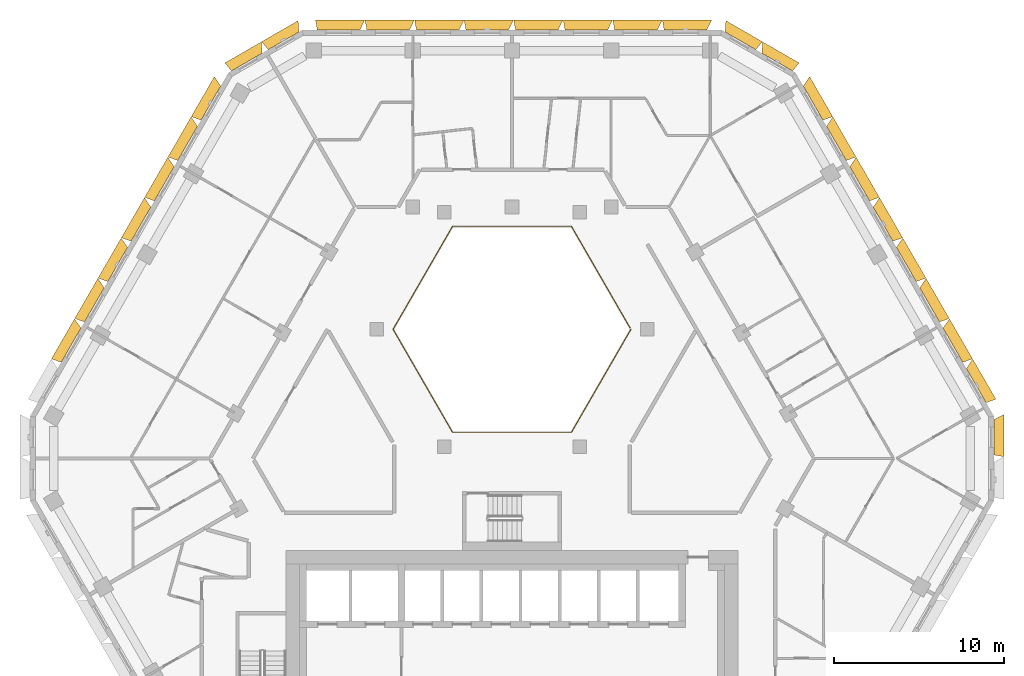
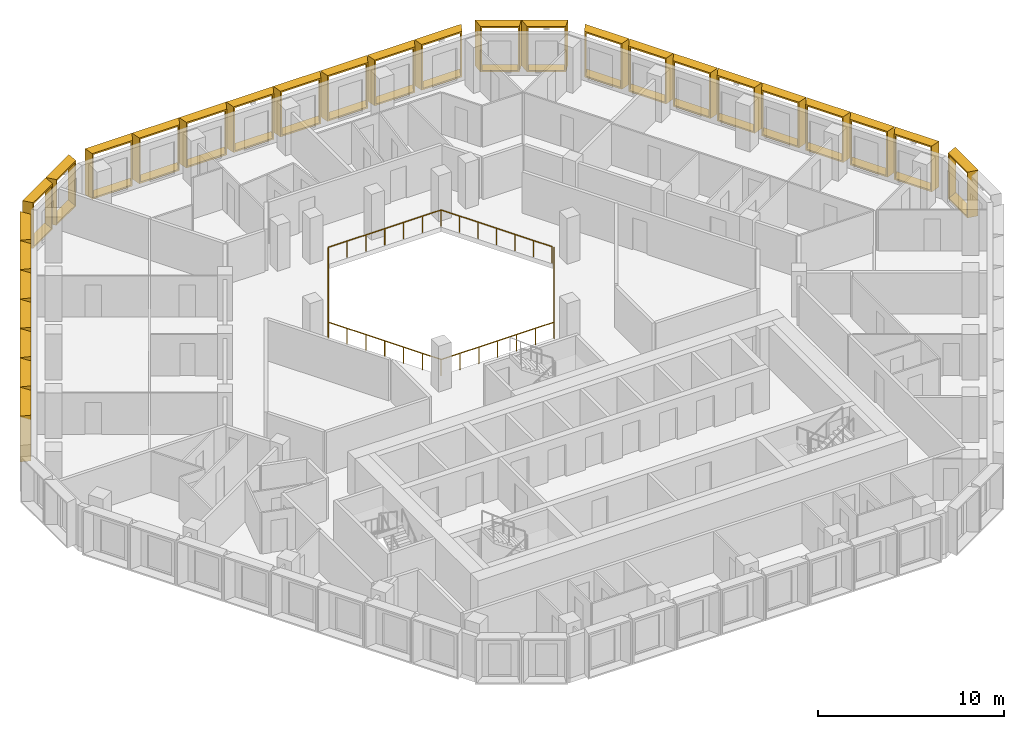
# One storey, part 17 of 17: 28 shading devices, 1 railing.
"""IFC4 building model written with IfcOpenShell, lengths in metres."""

from ifc_helpers import new_model, entity, si_unit, direction, frame, origin, origin_2d, place, context, subcontext, project, spatial, rectangle, extrude, source, transform, mapped, material, type_object, type_shapes, element, save


model = new_model("IFC4")

# Units and contexts
model_context = context("Model", 3, precision=1e-05, world=origin(), true_north=direction((0.0, 1.0)))
body_context = subcontext(model_context, "Body", "Model", "MODEL_VIEW")
ifc_project = project(units=[si_unit("LENGTHUNIT", "METRE"), si_unit("AREAUNIT", "SQUARE_METRE"), si_unit("VOLUMEUNIT", "CUBIC_METRE"), si_unit("PLANEANGLEUNIT", "RADIAN"), si_unit("MASSUNIT", "GRAM", prefix="KILO")], contexts=[model_context])

# Site, building, storey
site_placement = place(None, origin())
site = spatial("IfcSite", under=ifc_project, at=site_placement, CompositionType="ELEMENT")
building_placement = place(site_placement, origin())
building = spatial("IfcBuilding", under=site, at=building_placement, Name="Beryl Residences", CompositionType="ELEMENT")
storey_placement = place(building_placement, frame((0.0, 0.0, 144.60009765625)))
storey = spatial("IfcBuildingStorey", under=building, at=storey_placement, Name="L44", CompositionType="ELEMENT", Elevation=144.60009765625)

# Railing
ifc_material_1 = material(Name="Stainless steel balustrade with glass infill", Category="steel")
railing_type = type_object("IfcRailingType", Name="EG1 edge guard 1100 mm", PredefinedType="GUARDRAIL", material=ifc_material_1)
railing_placement = place(storey_placement, frame((6.9970703125, 8.0, 0.0)))
element("IfcRailing", 1, at=railing_placement, inside=storey, type_object=railing_type, Name="L44 atrium guard", PredefinedType="GUARDRAIL", context=body_context, shape_type="SweptSolid", body=[
    extrude(rectangle(XDim=0.048095703125, YDim=0.048095703125, at=origin_2d()), frame((0.0, 0.0, 1.076171875), z_axis=(-0.499921796684, -0.866070549782, 0.0), x_axis=(0.866070549782, -0.499921796684, 0.0)), (0.0, 0.0, 1.0), 6.9970703125),
    extrude(rectangle(XDim=0.048095703125, YDim=0.048095703125, at=origin_2d()), frame((-3.498046875, -6.06005859375, 1.076171875), z_axis=(-1.0, 0.0, 0.0), x_axis=(0.0, -1.0, 0.0)), (0.0, 0.0, 1.0), 6.998046875),
    extrude(rectangle(XDim=0.048095703125, YDim=0.048095703125, at=origin_2d()), frame((-10.49609375, -6.06005859375, 1.076171875), z_axis=(-0.499921796684, 0.866070549782, 0.0), x_axis=(-0.866070549782, -0.499921796684, 0.0)), (0.0, 0.0, 1.0), 6.9970703125),
    extrude(rectangle(XDim=0.048095703125, YDim=0.048095703125, at=origin_2d()), frame((-13.994140625, 0.0, 1.076171875), z_axis=(0.499921796684, 0.866070549782, 0.0), x_axis=(-0.866070549782, 0.499921796684, 0.0)), (0.0, 0.0, 1.0), 6.9970703125),
    extrude(rectangle(XDim=0.048095703125, YDim=0.048095703125, at=origin_2d()), frame((-10.49609375, 6.06005859375, 1.076171875), z_axis=(1.0, 0.0, 0.0), x_axis=(0.0, 1.0, 0.0)), (0.0, 0.0, 1.0), 6.998046875),
    extrude(rectangle(XDim=0.048095703125, YDim=0.048095703125, at=origin_2d()), frame((-3.498046875, 6.06005859375, 1.076171875), z_axis=(0.499919131929, -0.866072087953, 0.0), x_axis=(0.866072087953, 0.499919131929, 0.0)), (0.0, 0.0, 1.0), 6.877197265625),
    extrude(rectangle(XDim=0.0419921875, YDim=0.0419921875, at=origin_2d()), origin(), (0.0, 0.0, 1.0), 1.052001953125),
    extrude(rectangle(XDim=0.0419921875, YDim=0.0419921875, at=origin_2d()), frame((-0.5830078125, -1.010009765625, 0.0)), (0.0, 0.0, 1.0), 1.052001953125),
    extrude(rectangle(XDim=0.0419921875, YDim=0.0419921875, at=origin_2d()), frame((-1.166015625, -2.02001953125, 0.0)), (0.0, 0.0, 1.0), 1.052001953125),
    extrude(rectangle(XDim=0.0419921875, YDim=0.0419921875, at=origin_2d()), frame((-1.7490234375, -3.030029296875, 0.0)), (0.0, 0.0, 1.0), 1.052001953125),
    extrude(rectangle(XDim=0.0419921875, YDim=0.0419921875, at=origin_2d()), frame((-2.33203125, -4.0400390625, 0.0)), (0.0, 0.0, 1.0), 1.052001953125),
    extrude(rectangle(XDim=0.0419921875, YDim=0.0419921875, at=origin_2d()), frame((-2.9150390625, -5.050048828125, 0.0)), (0.0, 0.0, 1.0), 1.052001953125),
    extrude(rectangle(XDim=0.0419921875, YDim=0.0419921875, at=origin_2d()), frame((-3.498046875, -6.06005859375, 0.0)), (0.0, 0.0, 1.0), 1.052001953125),
    extrude(rectangle(XDim=0.0419921875, YDim=0.0419921875, at=origin_2d()), frame((-4.664306640625, -6.06005859375, 0.0)), (0.0, 0.0, 1.0), 1.052001953125),
    extrude(rectangle(XDim=0.0419921875, YDim=0.0419921875, at=origin_2d()), frame((-5.830810546875, -6.06005859375, 0.0)), (0.0, 0.0, 1.0), 1.052001953125),
    extrude(rectangle(XDim=0.0419921875, YDim=0.0419921875, at=origin_2d()), frame((-6.9970703125, -6.06005859375, 0.0)), (0.0, 0.0, 1.0), 1.052001953125),
    extrude(rectangle(XDim=0.0419921875, YDim=0.0419921875, at=origin_2d()), frame((-8.163330078125, -6.06005859375, 0.0)), (0.0, 0.0, 1.0), 1.052001953125),
    extrude(rectangle(XDim=0.0419921875, YDim=0.0419921875, at=origin_2d()), frame((-9.329833984375, -6.06005859375, 0.0)), (0.0, 0.0, 1.0), 1.052001953125),
    extrude(rectangle(XDim=0.0419921875, YDim=0.0419921875, at=origin_2d()), frame((-10.49609375, -6.06005859375, 0.0)), (0.0, 0.0, 1.0), 1.052001953125),
    extrude(rectangle(XDim=0.0419921875, YDim=0.0419921875, at=origin_2d()), frame((-11.0791015625, -5.050048828125, 0.0)), (0.0, 0.0, 1.0), 1.052001953125),
    extrude(rectangle(XDim=0.0419921875, YDim=0.0419921875, at=origin_2d()), frame((-11.662109375, -4.0400390625, 0.0)), (0.0, 0.0, 1.0), 1.052001953125),
    extrude(rectangle(XDim=0.0419921875, YDim=0.0419921875, at=origin_2d()), frame((-12.2451171875, -3.030029296875, 0.0)), (0.0, 0.0, 1.0), 1.052001953125),
    extrude(rectangle(XDim=0.0419921875, YDim=0.0419921875, at=origin_2d()), frame((-12.828125, -2.02001953125, 0.0)), (0.0, 0.0, 1.0), 1.052001953125),
    extrude(rectangle(XDim=0.0419921875, YDim=0.0419921875, at=origin_2d()), frame((-13.4111328125, -1.010009765625, 0.0)), (0.0, 0.0, 1.0), 1.052001953125),
    extrude(rectangle(XDim=0.0419921875, YDim=0.0419921875, at=origin_2d()), frame((-13.994140625, 0.0, 0.0)), (0.0, 0.0, 1.0), 1.052001953125),
    extrude(rectangle(XDim=0.0419921875, YDim=0.0419921875, at=origin_2d()), frame((-13.4111328125, 1.010009765625, 0.0)), (0.0, 0.0, 1.0), 1.052001953125),
    extrude(rectangle(XDim=0.0419921875, YDim=0.0419921875, at=origin_2d()), frame((-12.828125, 2.02001953125, 0.0)), (0.0, 0.0, 1.0), 1.052001953125),
    extrude(rectangle(XDim=0.0419921875, YDim=0.0419921875, at=origin_2d()), frame((-12.2451171875, 3.030029296875, 0.0)), (0.0, 0.0, 1.0), 1.052001953125),
    extrude(rectangle(XDim=0.0419921875, YDim=0.0419921875, at=origin_2d()), frame((-11.662109375, 4.0400390625, 0.0)), (0.0, 0.0, 1.0), 1.052001953125),
    extrude(rectangle(XDim=0.0419921875, YDim=0.0419921875, at=origin_2d()), frame((-11.0791015625, 5.050048828125, 0.0)), (0.0, 0.0, 1.0), 1.052001953125),
    extrude(rectangle(XDim=0.0419921875, YDim=0.0419921875, at=origin_2d()), frame((-10.49609375, 6.06005859375, 0.0)), (0.0, 0.0, 1.0), 1.052001953125),
    extrude(rectangle(XDim=0.0419921875, YDim=0.0419921875, at=origin_2d()), frame((-9.329833984375, 6.06005859375, 0.0)), (0.0, 0.0, 1.0), 1.052001953125),
    extrude(rectangle(XDim=0.0419921875, YDim=0.0419921875, at=origin_2d()), frame((-8.163330078125, 6.06005859375, 0.0)), (0.0, 0.0, 1.0), 1.052001953125),
    extrude(rectangle(XDim=0.0419921875, YDim=0.0419921875, at=origin_2d()), frame((-6.9970703125, 6.06005859375, 0.0)), (0.0, 0.0, 1.0), 1.052001953125),
    extrude(rectangle(XDim=0.0419921875, YDim=0.0419921875, at=origin_2d()), frame((-5.830810546875, 6.06005859375, 0.0)), (0.0, 0.0, 1.0), 1.052001953125),
    extrude(rectangle(XDim=0.0419921875, YDim=0.0419921875, at=origin_2d()), frame((-4.664306640625, 6.06005859375, 0.0)), (0.0, 0.0, 1.0), 1.052001953125),
    extrude(rectangle(XDim=0.0419921875, YDim=0.0419921875, at=origin_2d()), frame((-3.498046875, 6.06005859375, 0.0)), (0.0, 0.0, 1.0), 1.052001953125),
    extrude(rectangle(XDim=0.0419921875, YDim=0.0419921875, at=origin_2d()), frame((-2.925048828125, 5.0673828125, 0.0)), (0.0, 0.0, 1.0), 1.052001953125),
    extrude(rectangle(XDim=0.0419921875, YDim=0.0419921875, at=origin_2d()), frame((-2.35205078125, 4.07470703125, 0.0)), (0.0, 0.0, 1.0), 1.052001953125),
    extrude(rectangle(XDim=0.0419921875, YDim=0.0419921875, at=origin_2d()), frame((-1.779052734375, 3.08203125, 0.0)), (0.0, 0.0, 1.0), 1.052001953125),
    extrude(rectangle(XDim=0.0419921875, YDim=0.0419921875, at=origin_2d()), frame((-1.2060546875, 2.08935546875, 0.0)), (0.0, 0.0, 1.0), 1.052001953125),
    extrude(rectangle(XDim=0.0419921875, YDim=0.0419921875, at=origin_2d()), frame((-0.633056640625, 1.0966796875, 0.0)), (0.0, 0.0, 1.0), 1.052001953125),
    extrude(rectangle(XDim=0.0419921875, YDim=0.0419921875, at=origin_2d()), frame((-0.06005859375, 0.10400390625, 0.0)), (0.0, 0.0, 1.0), 1.052001953125),
])

# Shading devices
ifc_material_2 = material(Name="Aluminium pale anodised", Category="aluminium")
shading_device_type_1 = type_object("IfcShadingDeviceType", Name="FR250-60B OUTER SKIN frame 600 mm deep, splay 26/10 deg, 2500 x 3000 mm cell", PredefinedType="USERDEFINED", material=ifc_material_2)
cartesian_point_1 = entity("IfcCartesianPoint", [-1.04052734375, 0.0])
cartesian_point_2 = entity("IfcCartesianPoint", [-0.951416015625, 0.10009765625])
cartesian_point_3 = entity("IfcCartesianPoint", [-1.333251953125, 0.0])
cartesian_point_4 = entity("IfcCartesianPoint", [-1.244140625, 0.10009765625])
shared_shape_1 = source(origin(), body_context, "Body", "SweptSolid", [
    entity("IfcExtrudedAreaSolidTapered", entity("IfcArbitraryProfileDefWithVoids", "AREA", None, entity("IfcPolyline", [cartesian_point_1, entity("IfcCartesianPoint", [1.04052734375, 0.0]), entity("IfcCartesianPoint", [1.04052734375, 3.0]), entity("IfcCartesianPoint", [-1.04052734375, 3.0]), cartesian_point_1]), [entity("IfcPolyline", [cartesian_point_2, entity("IfcCartesianPoint", [0.959228515625, 0.10009765625]), entity("IfcCartesianPoint", [0.959228515625, 2.89990234375]), entity("IfcCartesianPoint", [-0.951416015625, 2.89990234375]), cartesian_point_2])]), entity("IfcAxis2Placement3D", entity("IfcCartesianPoint", [0.0, 0.0, 0.0]), entity("IfcDirection", [0.0, 1.0, 0.0]), entity("IfcDirection", [-1.0, 0.0, 0.0])), entity("IfcDirection", [0.0, 0.0, 1.0]), 0.60009765625, entity("IfcArbitraryProfileDefWithVoids", "AREA", None, entity("IfcPolyline", [cartesian_point_3, entity("IfcCartesianPoint", [1.146240234375, 0.0]), entity("IfcCartesianPoint", [1.146240234375, 3.0]), entity("IfcCartesianPoint", [-1.333251953125, 3.0]), cartesian_point_3]), [entity("IfcPolyline", [cartesian_point_4, entity("IfcCartesianPoint", [1.06494140625, 0.10009765625]), entity("IfcCartesianPoint", [1.06494140625, 2.89990234375]), entity("IfcCartesianPoint", [-1.244140625, 2.89990234375]), cartesian_point_4])])),
])
type_shapes(shading_device_type_1, [shared_shape_1])
for number, where, z_axis, x_axis, name in (
    (2, (-13.43798828125, 24.97509765625, 0.0), (0.0, 0.0, 1.0), (0.866025403784, 0.5, 0.0), "FR250-60B frame L44 N-NW 1"),
    (3, (-15.60205078125, 23.72509765625, 0.0), (0.0, 0.0, 1.0), (0.866025403784, 0.5, 0.0), "FR250-60B frame L44 N-NW 2"),
):
    element("IfcShadingDevice", number, at=place(storey_placement, frame(where, z_axis=z_axis, x_axis=x_axis)), inside=storey, type_object=shading_device_type_1, Name=name, ObjectType="OUTER SKIN", PredefinedType="USERDEFINED", context=body_context, shape_type="MappedRepresentation", body=[
        mapped(shared_shape_1, transform((0.0, 0.0, 0.0))),
    ])
ifc_material_3 = material(Name="Aluminium pale anodised", Category="aluminium")
shading_device_type_2 = type_object("IfcShadingDeviceType", Name="FR250-60C OUTER SKIN frame 600 mm deep, splay 10/26 deg, 2500 x 3000 mm cell", PredefinedType="USERDEFINED", material=ifc_material_3)
cartesian_point_5 = entity("IfcCartesianPoint", [-1.04052734375, 0.0])
cartesian_point_6 = entity("IfcCartesianPoint", [-0.959228515625, 0.10009765625])
cartesian_point_7 = entity("IfcCartesianPoint", [-1.146240234375, 0.0])
cartesian_point_8 = entity("IfcCartesianPoint", [-1.06494140625, 0.10009765625])
shared_shape_2 = source(origin(), body_context, "Body", "SweptSolid", [
    entity("IfcExtrudedAreaSolidTapered", entity("IfcArbitraryProfileDefWithVoids", "AREA", None, entity("IfcPolyline", [cartesian_point_5, entity("IfcCartesianPoint", [1.04052734375, 0.0]), entity("IfcCartesianPoint", [1.04052734375, 3.0]), entity("IfcCartesianPoint", [-1.04052734375, 3.0]), cartesian_point_5]), [entity("IfcPolyline", [cartesian_point_6, entity("IfcCartesianPoint", [0.951416015625, 0.10009765625]), entity("IfcCartesianPoint", [0.951416015625, 2.89990234375]), entity("IfcCartesianPoint", [-0.959228515625, 2.89990234375]), cartesian_point_6])]), entity("IfcAxis2Placement3D", entity("IfcCartesianPoint", [0.0, 0.0, 0.0]), entity("IfcDirection", [0.0, 1.0, 0.0]), entity("IfcDirection", [-1.0, 0.0, 0.0])), entity("IfcDirection", [0.0, 0.0, 1.0]), 0.60009765625, entity("IfcArbitraryProfileDefWithVoids", "AREA", None, entity("IfcPolyline", [cartesian_point_7, entity("IfcCartesianPoint", [1.333251953125, 0.0]), entity("IfcCartesianPoint", [1.333251953125, 3.0]), entity("IfcCartesianPoint", [-1.146240234375, 3.0]), cartesian_point_7]), [entity("IfcPolyline", [cartesian_point_8, entity("IfcCartesianPoint", [1.244140625, 0.10009765625]), entity("IfcCartesianPoint", [1.244140625, 2.89990234375]), entity("IfcCartesianPoint", [-1.06494140625, 2.89990234375]), cartesian_point_8])])),
])
type_shapes(shading_device_type_2, [shared_shape_2])
for number, where, z_axis, x_axis, name in (
    (4, (28.347900390625, 1.64990234375, 0.0), (0.0, 0.0, 1.0), (0.0, -1.0, 0.0), "FR250-60C frame L44 SE-NE 2"),
    (5, (15.60205078125, 23.72509765625, 0.0), (0.0, 0.0, 1.0), (0.866025403784, -0.5, 0.0), "FR250-60C frame L44 NE-N 1"),
    (6, (13.43798828125, 24.97509765625, 0.0), (0.0, 0.0, 1.0), (0.866025403784, -0.5, 0.0), "FR250-60C frame L44 NE-N 2"),
):
    element("IfcShadingDevice", number, at=place(storey_placement, frame(where, z_axis=z_axis, x_axis=x_axis)), inside=storey, type_object=shading_device_type_2, Name=name, ObjectType="OUTER SKIN", PredefinedType="USERDEFINED", context=body_context, shape_type="MappedRepresentation", body=[
        mapped(shared_shape_2, transform((0.0, 0.0, 0.0))),
    ])
ifc_material_4 = material(Name="Aluminium pale anodised", Category="aluminium")
shading_device_type_3 = type_object("IfcShadingDeviceType", Name="FR274-60B OUTER SKIN frame 600 mm deep, splay 26/10 deg, 2740 x 3000 mm cell", PredefinedType="USERDEFINED", material=ifc_material_4)
cartesian_point_9 = entity("IfcCartesianPoint", [-1.160400390625, 0.0])
cartesian_point_10 = entity("IfcCartesianPoint", [-1.071533203125, 0.10009765625])
cartesian_point_11 = entity("IfcCartesianPoint", [-1.453125, 0.0])
cartesian_point_12 = entity("IfcCartesianPoint", [-1.364013671875, 0.10009765625])
shared_shape_3 = source(origin(), body_context, "Body", "SweptSolid", [
    entity("IfcExtrudedAreaSolidTapered", entity("IfcArbitraryProfileDefWithVoids", "AREA", None, entity("IfcPolyline", [cartesian_point_9, entity("IfcCartesianPoint", [1.160400390625, 0.0]), entity("IfcCartesianPoint", [1.160400390625, 3.0]), entity("IfcCartesianPoint", [-1.160400390625, 3.0]), cartesian_point_9]), [entity("IfcPolyline", [cartesian_point_10, entity("IfcCartesianPoint", [1.079345703125, 0.10009765625]), entity("IfcCartesianPoint", [1.079345703125, 2.89990234375]), entity("IfcCartesianPoint", [-1.071533203125, 2.89990234375]), cartesian_point_10])]), entity("IfcAxis2Placement3D", entity("IfcCartesianPoint", [0.0, 0.0, 0.0]), entity("IfcDirection", [0.0, 1.0, 0.0]), entity("IfcDirection", [-1.0, 0.0, 0.0])), entity("IfcDirection", [0.0, 0.0, 1.0]), 0.60009765625, entity("IfcArbitraryProfileDefWithVoids", "AREA", None, entity("IfcPolyline", [cartesian_point_11, entity("IfcCartesianPoint", [1.266357421875, 0.0]), entity("IfcCartesianPoint", [1.266357421875, 3.0]), entity("IfcCartesianPoint", [-1.453125, 3.0]), cartesian_point_11]), [entity("IfcPolyline", [cartesian_point_12, entity("IfcCartesianPoint", [1.18505859375, 0.10009765625]), entity("IfcCartesianPoint", [1.18505859375, 2.89990234375]), entity("IfcCartesianPoint", [-1.364013671875, 2.89990234375]), cartesian_point_12])])),
])
type_shapes(shading_device_type_3, [shared_shape_3])
for number, where, z_axis, x_axis, name in (
    (7, (-17.718017578125, 21.31298828125, 0.0), (0.0, 0.0, 1.0), (0.5, 0.866025403784, 0.0), "FR274-60B frame L44 NW 1"),
    (8, (-19.089111328125, 18.93798828125, 0.0), (0.0, 0.0, 1.0), (0.5, 0.866025403784, 0.0), "FR274-60B frame L44 NW 2"),
    (9, (-20.4599609375, 16.56298828125, 0.0), (0.0, 0.0, 1.0), (0.5, 0.866025403784, 0.0), "FR274-60B frame L44 NW 3"),
    (10, (-21.8310546875, 14.18798828125, 0.0), (0.0, 0.0, 1.0), (0.5, 0.866025403784, 0.0), "FR274-60B frame L44 NW 4"),
    (11, (-23.202880859375, 11.81201171875, 0.0), (0.0, 0.0, 1.0), (0.5, 0.866025403784, 0.0), "FR274-60B frame L44 NW 5"),
    (12, (-24.573974609375, 9.43701171875, 0.0), (0.0, 0.0, 1.0), (0.5, 0.866025403784, 0.0), "FR274-60B frame L44 NW 6"),
    (13, (-25.945068359375, 7.06201171875, 0.0), (0.0, 0.0, 1.0), (0.5, 0.866025403784, 0.0), "FR274-60B frame L44 NW 7"),
):
    element("IfcShadingDevice", number, at=place(storey_placement, frame(where, z_axis=z_axis, x_axis=x_axis)), inside=storey, type_object=shading_device_type_3, Name=name, ObjectType="OUTER SKIN", PredefinedType="USERDEFINED", context=body_context, shape_type="MappedRepresentation", body=[
        mapped(shared_shape_3, transform((0.0, 0.0, 0.0))),
    ])
ifc_material_5 = material(Name="Aluminium pale anodised", Category="aluminium")
shading_device_type_4 = type_object("IfcShadingDeviceType", Name="FR274-60C OUTER SKIN frame 600 mm deep, splay 10/26 deg, 2740 x 3000 mm cell", PredefinedType="USERDEFINED", material=ifc_material_5)
cartesian_point_13 = entity("IfcCartesianPoint", [-1.160400390625, 0.0])
cartesian_point_14 = entity("IfcCartesianPoint", [-1.079345703125, 0.10009765625])
cartesian_point_15 = entity("IfcCartesianPoint", [-1.266357421875, 0.0])
cartesian_point_16 = entity("IfcCartesianPoint", [-1.18505859375, 0.10009765625])
shared_shape_4 = source(origin(), body_context, "Body", "SweptSolid", [
    entity("IfcExtrudedAreaSolidTapered", entity("IfcArbitraryProfileDefWithVoids", "AREA", None, entity("IfcPolyline", [cartesian_point_13, entity("IfcCartesianPoint", [1.160400390625, 0.0]), entity("IfcCartesianPoint", [1.160400390625, 3.0]), entity("IfcCartesianPoint", [-1.160400390625, 3.0]), cartesian_point_13]), [entity("IfcPolyline", [cartesian_point_14, entity("IfcCartesianPoint", [1.071533203125, 0.10009765625]), entity("IfcCartesianPoint", [1.071533203125, 2.89990234375]), entity("IfcCartesianPoint", [-1.079345703125, 2.89990234375]), cartesian_point_14])]), entity("IfcAxis2Placement3D", entity("IfcCartesianPoint", [0.0, 0.0, 0.0]), entity("IfcDirection", [0.0, 1.0, 0.0]), entity("IfcDirection", [-1.0, 0.0, 0.0])), entity("IfcDirection", [0.0, 0.0, 1.0]), 0.60009765625, entity("IfcArbitraryProfileDefWithVoids", "AREA", None, entity("IfcPolyline", [cartesian_point_15, entity("IfcCartesianPoint", [1.453125, 0.0]), entity("IfcCartesianPoint", [1.453125, 3.0]), entity("IfcCartesianPoint", [-1.266357421875, 3.0]), cartesian_point_15]), [entity("IfcPolyline", [cartesian_point_16, entity("IfcCartesianPoint", [1.364013671875, 0.10009765625]), entity("IfcCartesianPoint", [1.364013671875, 2.89990234375]), entity("IfcCartesianPoint", [-1.18505859375, 2.89990234375]), cartesian_point_16])])),
])
type_shapes(shading_device_type_4, [shared_shape_4])
for number, where, z_axis, x_axis, name in (
    (14, (27.31591796875, 4.68701171875, 0.0), (0.0, 0.0, 1.0), (0.5, -0.866025403784, 0.0), "FR274-60C frame L44 NE 1"),
    (15, (25.945068359375, 7.06201171875, 0.0), (0.0, 0.0, 1.0), (0.5, -0.866025403784, 0.0), "FR274-60C frame L44 NE 2"),
    (16, (24.573974609375, 9.43701171875, 0.0), (0.0, 0.0, 1.0), (0.5, -0.866025403784, 0.0), "FR274-60C frame L44 NE 3"),
    (17, (23.202880859375, 11.81201171875, 0.0), (0.0, 0.0, 1.0), (0.5, -0.866025403784, 0.0), "FR274-60C frame L44 NE 4"),
    (18, (21.8310546875, 14.18798828125, 0.0), (0.0, 0.0, 1.0), (0.5, -0.866025403784, 0.0), "FR274-60C frame L44 NE 5"),
    (19, (20.4599609375, 16.56298828125, 0.0), (0.0, 0.0, 1.0), (0.5, -0.866025403784, 0.0), "FR274-60C frame L44 NE 6"),
    (20, (19.089111328125, 18.93798828125, 0.0), (0.0, 0.0, 1.0), (0.5, -0.866025403784, 0.0), "FR274-60C frame L44 NE 7"),
    (21, (17.718017578125, 21.31298828125, 0.0), (0.0, 0.0, 1.0), (0.5, -0.866025403784, 0.0), "FR274-60C frame L44 NE 8"),
):
    element("IfcShadingDevice", number, at=place(storey_placement, frame(where, z_axis=z_axis, x_axis=x_axis)), inside=storey, type_object=shading_device_type_4, Name=name, ObjectType="OUTER SKIN", PredefinedType="USERDEFINED", context=body_context, shape_type="MappedRepresentation", body=[
        mapped(shared_shape_4, transform((0.0, 0.0, 0.0))),
    ])
ifc_material_6 = material(Name="Aluminium pale anodised", Category="aluminium")
shading_device_type_5 = type_object("IfcShadingDeviceType", Name="FR292-60B OUTER SKIN frame 600 mm deep, splay 26/10 deg, 2920 x 3000 mm cell", PredefinedType="USERDEFINED", material=ifc_material_6)
cartesian_point_17 = entity("IfcCartesianPoint", [-1.25048828125, 0.0])
cartesian_point_18 = entity("IfcCartesianPoint", [-1.161376953125, 0.10009765625])
cartesian_point_19 = entity("IfcCartesianPoint", [-1.543212890625, 0.0])
cartesian_point_20 = entity("IfcCartesianPoint", [-1.4541015625, 0.10009765625])
shared_shape_5 = source(origin(), body_context, "Body", "SweptSolid", [
    entity("IfcExtrudedAreaSolidTapered", entity("IfcArbitraryProfileDefWithVoids", "AREA", None, entity("IfcPolyline", [cartesian_point_17, entity("IfcCartesianPoint", [1.25048828125, 0.0]), entity("IfcCartesianPoint", [1.25048828125, 3.0]), entity("IfcCartesianPoint", [-1.25048828125, 3.0]), cartesian_point_17]), [entity("IfcPolyline", [cartesian_point_18, entity("IfcCartesianPoint", [1.169189453125, 0.10009765625]), entity("IfcCartesianPoint", [1.169189453125, 2.89990234375]), entity("IfcCartesianPoint", [-1.161376953125, 2.89990234375]), cartesian_point_18])]), entity("IfcAxis2Placement3D", entity("IfcCartesianPoint", [0.0, 0.0, 0.0]), entity("IfcDirection", [0.0, 1.0, 0.0]), entity("IfcDirection", [-1.0, 0.0, 0.0])), entity("IfcDirection", [0.0, 0.0, 1.0]), 0.60009765625, entity("IfcArbitraryProfileDefWithVoids", "AREA", None, entity("IfcPolyline", [cartesian_point_19, entity("IfcCartesianPoint", [1.356201171875, 0.0]), entity("IfcCartesianPoint", [1.356201171875, 3.0]), entity("IfcCartesianPoint", [-1.543212890625, 3.0]), cartesian_point_19]), [entity("IfcPolyline", [cartesian_point_20, entity("IfcCartesianPoint", [1.275146484375, 0.10009765625]), entity("IfcCartesianPoint", [1.275146484375, 2.89990234375]), entity("IfcCartesianPoint", [-1.4541015625, 2.89990234375]), cartesian_point_20])])),
])
type_shapes(shading_device_type_5, [shared_shape_5])
for number, where, z_axis, x_axis, name in (
    (22, (10.2041015625, 25.60009765625, 0.0), (0.0, 0.0, 1.0), (1.0, 0.0, 0.0), "FR292-60B frame L44 N 1"),
    (23, (7.2890625, 25.60009765625, 0.0), (0.0, 0.0, 1.0), (1.0, 0.0, 0.0), "FR292-60B frame L44 N 2"),
    (24, (4.373046875, 25.60009765625, 0.0), (0.0, 0.0, 1.0), (1.0, 0.0, 0.0), "FR292-60B frame L44 N 3"),
    (25, (1.4580078125, 25.60009765625, 0.0), (0.0, 0.0, 1.0), (1.0, 0.0, 0.0), "FR292-60B frame L44 N 4"),
    (26, (-1.4580078125, 25.60009765625, 0.0), (0.0, 0.0, 1.0), (1.0, 0.0, 0.0), "FR292-60B frame L44 N 5"),
    (27, (-4.373046875, 25.60009765625, 0.0), (0.0, 0.0, 1.0), (1.0, 0.0, 0.0), "FR292-60B frame L44 N 6"),
    (28, (-7.2890625, 25.60009765625, 0.0), (0.0, 0.0, 1.0), (1.0, 0.0, 0.0), "FR292-60B frame L44 N 7"),
    (29, (-10.2041015625, 25.60009765625, 0.0), (0.0, 0.0, 1.0), (1.0, 0.0, 0.0), "FR292-60B frame L44 N 8"),
):
    element("IfcShadingDevice", number, at=place(storey_placement, frame(where, z_axis=z_axis, x_axis=x_axis)), inside=storey, type_object=shading_device_type_5, Name=name, ObjectType="OUTER SKIN", PredefinedType="USERDEFINED", context=body_context, shape_type="MappedRepresentation", body=[
        mapped(shared_shape_5, transform((0.0, 0.0, 0.0))),
    ])

save(model, "model.ifc")
